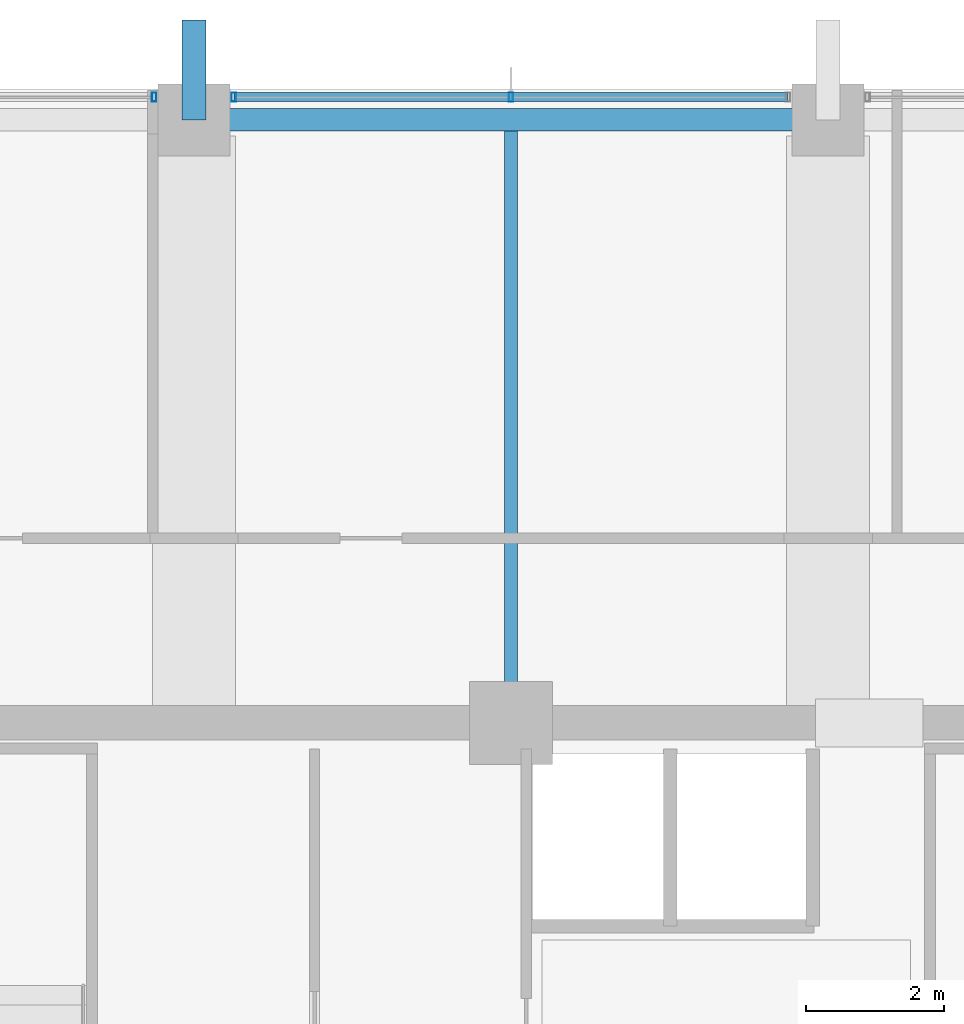
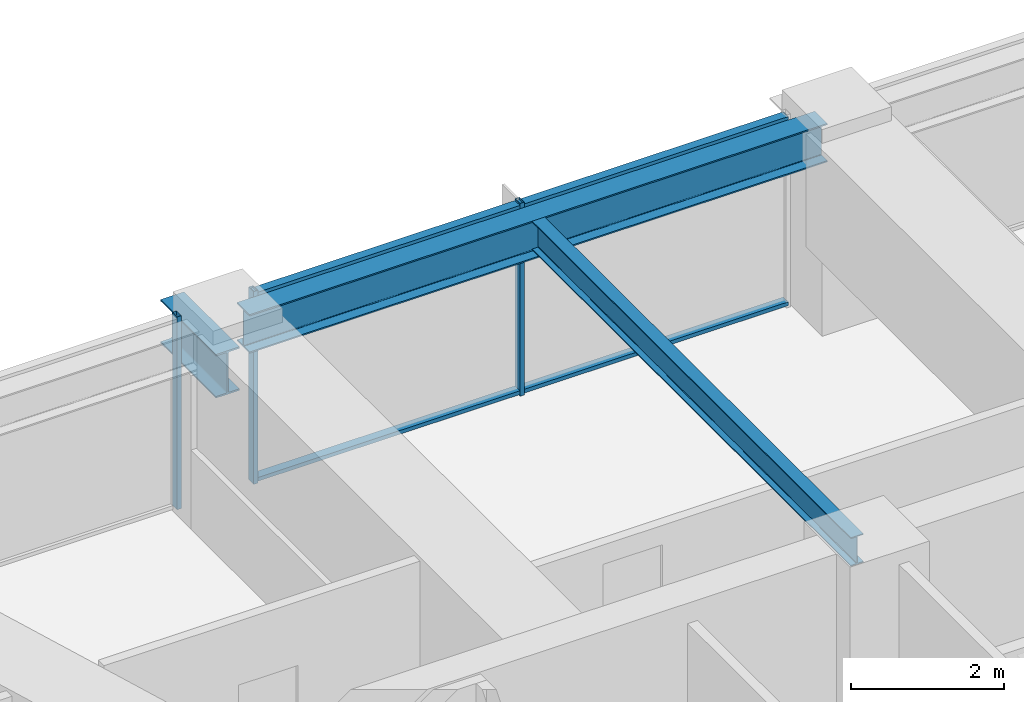
# One storey, part 22 of 36: 5 members, 3 beams, 2 elements without a shape of their own.
"""IFC4 building model written with IfcOpenShell, lengths in metres."""

import ifcopenshell
import ifcopenshell.guid

model = None  # the IFC model being written
_history = None  # IfcOwnerHistory: only IFC2X3 demands one
_inside = {}  # id of a spatial element -> (the spatial element, [elements in it])
_under = {}  # id of a project, library or spatial element -> (it, [spatial elements below it])
_declared = {}  # id of a project -> (the project, [libraries it declares])
_typed = {}  # id of a type object -> (the type object, [elements of that type])
_made_of = {}  # id of a material, layer set ... -> (it, [elements and type objects made of it])


def new_model(schema):
    """Start an empty IFC model of exactly this schema.

    Asked for "IFC4X3", IfcOpenShell would pick the latest addendum, in which some entities
    have other attributes; the version numbers below select the first issue.
    IFC2X3 requires an IfcOwnerHistory on every rooted entity: one is made here for all.
    """
    global model, _history
    if schema == "IFC4X3":
        model = ifcopenshell.file(schema_version=(4, 3, 0, 0))
    else:
        model = ifcopenshell.file(schema=schema)
    _inside.clear()
    _under.clear()
    _declared.clear()
    _typed.clear()
    _made_of.clear()
    _history = None
    if model.schema == "IFC2X3":
        org = make("IfcOrganization", Name="unknown")
        user = make(
            "IfcPersonAndOrganization",
            ThePerson=make("IfcPerson", FamilyName="unknown"),
            TheOrganization=org,
        )
        app = make(
            "IfcApplication",
            ApplicationDeveloper=org,
            Version="unknown",
            ApplicationFullName="unknown",
            ApplicationIdentifier="unknown",
        )
        _history = make(
            "IfcOwnerHistory",
            OwningUser=user,
            OwningApplication=app,
            ChangeAction="ADDED",
            CreationDate=0,
        )
    return model


def make(cls, **values):
    """One entity of the class cls with the attributes given. An attribute that is None is left unset."""
    return model.create_entity(
        cls, **{name: value for name, value in values.items() if value is not None}
    )


def rooted(cls, **values):
    """An entity with a GlobalId (a new one), such as an element, a storey or a relation."""
    return make(cls, GlobalId=ifcopenshell.guid.new(), OwnerHistory=_history, **values)


def si_unit(unit_type, name, prefix=None):
    """IfcSIUnit, for example si_unit("LENGTHUNIT", "METRE", prefix="MILLI")."""
    return make("IfcSIUnit", UnitType=unit_type, Prefix=prefix, Name=name)


def assignment(units):
    """IfcUnitAssignment: the units of a project."""
    return None if units is None else make("IfcUnitAssignment", Units=units)


def point(xyz):
    """IfcCartesianPoint."""
    return None if xyz is None else make("IfcCartesianPoint", Coordinates=xyz)


def direction(xyz):
    """IfcDirection."""
    return None if xyz is None else make("IfcDirection", DirectionRatios=xyz)


def frame(location, z_axis=None, x_axis=None):
    """IfcAxis2Placement3D, a coordinate frame: its origin and axes. An axis left out is left unset."""
    return make(
        "IfcAxis2Placement3D",
        Location=point(location),
        Axis=direction(z_axis),
        RefDirection=direction(x_axis),
    )


def frame_2d(location, x_axis=None):
    """IfcAxis2Placement2D, a coordinate frame in the plane: its origin and x axis."""
    return make(
        "IfcAxis2Placement2D", Location=point(location), RefDirection=direction(x_axis)
    )


def origin():
    """The frame at (0, 0, 0) with its axes left unset."""
    return frame((0.0, 0.0, 0.0))


def origin_2d():
    """The frame at (0, 0) in the plane with its x axis left unset."""
    return frame_2d((0.0, 0.0))


def place(relative_to, where):
    """IfcLocalPlacement: puts the frame where relative to a parent placement (None: the world)."""
    return make(
        "IfcLocalPlacement", PlacementRelTo=relative_to, RelativePlacement=where
    )


def context(
    kind, dimensions, precision=None, world=None, true_north=None, identifier=None
):
    """IfcGeometricRepresentationContext, for example the 3D "Model" context."""
    return make(
        "IfcGeometricRepresentationContext",
        ContextIdentifier=identifier,
        ContextType=kind,
        CoordinateSpaceDimension=dimensions,
        Precision=precision,
        WorldCoordinateSystem=world,
        TrueNorth=true_north,
    )


def subcontext(parent, identifier, kind, view, scale=None):
    """IfcGeometricRepresentationSubContext, for example "Body" below "Model"."""
    return make(
        "IfcGeometricRepresentationSubContext",
        ContextIdentifier=identifier,
        ContextType=kind,
        ParentContext=parent,
        TargetScale=scale,
        TargetView=view,
    )


def project(units=None, contexts=None):
    """IfcProject with its units and contexts."""
    return rooted(
        "IfcProject",
        Name="project",
        RepresentationContexts=contexts,
        UnitsInContext=assignment(units),
    )


def spatial(cls, under=None, at=None, **own):
    """A site, building, storey or space (cls), placed at a placement, below another one or the project."""
    s = rooted(cls, ObjectPlacement=at, **own)
    if under is not None:
        _under.setdefault(under.id(), (under, []))[1].append(s)
    return s


def profile(cls, at=None, kind="AREA", **sizes):
    """A parametric profile (cls). Its sizes go by their IFC names, for example OverallWidth=200.0."""
    return make(cls, ProfileType=kind, Position=at, **sizes)


def hollow_rectangle(**sizes):
    """IfcRectangleHollowProfileDef."""
    return profile("IfcRectangleHollowProfileDef", **sizes)


def i_section(**sizes):
    """IfcIShapeProfileDef."""
    return profile("IfcIShapeProfileDef", **sizes)


def extrude(swept, where, along, depth):
    """IfcExtrudedAreaSolid: the profile swept, set in the frame where, extruded along a direction by depth."""
    return make(
        "IfcExtrudedAreaSolid",
        SweptArea=swept,
        Position=where,
        ExtrudedDirection=direction(along),
        Depth=depth,
    )


def shape(context_of_items, identifier, shape_type, items):
    """IfcShapeRepresentation: the items that make up one representation, for example the "Body"."""
    return make(
        "IfcShapeRepresentation",
        ContextOfItems=context_of_items,
        RepresentationIdentifier=identifier,
        RepresentationType=shape_type,
        Items=items,
    )


def material(Name=None, Category=None):
    """IfcMaterial."""
    return make("IfcMaterial", Name=Name, Category=Category)


def material_profile(
    of_material, cross_section, Name=None, Category=None, Priority=None
):
    """IfcMaterialProfile: a cross section and its material."""
    return make(
        "IfcMaterialProfile",
        Name=Name,
        Material=of_material,
        Profile=cross_section,
        Priority=Priority,
        Category=Category,
    )


def profile_set(profiles, Name=None, composite=None):
    """IfcMaterialProfileSet."""
    return make(
        "IfcMaterialProfileSet",
        Name=Name,
        MaterialProfiles=profiles,
        CompositeProfile=composite,
    )


def made_of(thing, what):
    """Note that an element or type object is made of a material, layer set ...; save() writes the relation."""
    if what is not None:
        _made_of.setdefault(what.id(), (what, []))[1].append(thing)
    return thing


def type_object(cls, material=None, **own):
    """A type object (cls), such as IfcWallType, which elements share."""
    return made_of(rooted(cls, **own), material)


def element(
    cls,
    number,
    at=None,
    inside=None,
    cuts=None,
    type_object=None,
    material=None,
    context=None,
    identifier="Body",
    shape_type=None,
    held_by="IfcProductDefinitionShape",
    body=None,
    shapes=None,
    **own,
):
    """One element of the class cls, such as IfcWall. Its Tag is "e" and its number.

    at: its placement. inside: the storey or other place that contains it. cuts: it is an
    opening in that element (IfcRelVoidsElement). A single representation is given by context,
    identifier, shape_type and body (its items); several are given by shapes. held_by: the class
    of the entity that holds the representations. save() writes the other relations.
    """
    e = rooted(cls, Tag="e%d" % number, ObjectPlacement=at, **own)
    if body is not None:
        shapes = [shape(context, identifier, shape_type, body)]
    if shapes is not None:
        e.Representation = make(held_by, Representations=shapes)
    if inside is not None:
        _inside.setdefault(inside.id(), (inside, []))[1].append(e)
    if cuts is not None:
        rooted(
            "IfcRelVoidsElement", RelatingBuildingElement=cuts, RelatedOpeningElement=e
        )
    if type_object is not None:
        _typed.setdefault(type_object.id(), (type_object, []))[1].append(e)
    return made_of(e, material)


def aggregate(whole, parts):
    """IfcRelAggregates: a whole, such as a stair, and the parts it consists of."""
    return rooted("IfcRelAggregates", RelatingObject=whole, RelatedObjects=parts)


def save(model, path):
    """Write the relations noted so far, then the file.

    IfcRelAggregates (storeys below a building ...), IfcRelContainedInSpatialStructure (elements
    in a storey), IfcRelDefinesByType, IfcRelAssociatesMaterial and IfcRelDeclares: one each for
    every whole, place, type object, material and project.
    """
    for whole, parts in _under.values():
        aggregate(whole, parts)
    for where, things in _inside.values():
        rooted(
            "IfcRelContainedInSpatialStructure",
            RelatedElements=things,
            RelatingStructure=where,
        )
    for kind, things in _typed.values():
        rooted("IfcRelDefinesByType", RelatedObjects=things, RelatingType=kind)
    for what, things in _made_of.values():
        rooted("IfcRelAssociatesMaterial", RelatedObjects=things, RelatingMaterial=what)
    for by, libraries in _declared.values():
        rooted("IfcRelDeclares", RelatingContext=by, RelatedDefinitions=libraries)
    model.write(path)


model = new_model("IFC4")

# Units and contexts
model_context = context("Model", 3, precision=1e-05, world=origin(), true_north=direction((0.0, 1.0)))
body_context = subcontext(model_context, "Body", "Model", "MODEL_VIEW")
ifc_project = project(units=[si_unit("LENGTHUNIT", "METRE"), si_unit("AREAUNIT", "SQUARE_METRE"), si_unit("VOLUMEUNIT", "CUBIC_METRE"), si_unit("PLANEANGLEUNIT", "RADIAN"), si_unit("MASSUNIT", "GRAM", prefix="KILO")], contexts=[model_context])

# Site, building, storey
site_placement = place(None, origin())
site = spatial("IfcSite", under=ifc_project, at=site_placement, CompositionType="ELEMENT")
building_placement = place(site_placement, origin())
building = spatial("IfcBuilding", under=site, at=building_placement, Name="Kolvaren Belvedere", CompositionType="ELEMENT")
storey_placement = place(building_placement, frame((0.0, 0.0, 108.5)))
storey = spatial("IfcBuildingStorey", under=building, at=storey_placement, Name="L31", CompositionType="ELEMENT", Elevation=108.5)

# Beams
ifc_material_1 = material(Name="Structural steel ASTM A992 Grade 50", Category="steel")
ifc_material_profile_1 = material_profile(ifc_material_1, i_section(OverallWidth=0.35498046875, OverallDepth=0.696044921875, WebThickness=0.015380859375, FlangeThickness=0.02490234375, FilletRadius=0.02197265625, at=origin_2d()), Name="W27X146")
ifc_profile_set_1 = profile_set([ifc_material_profile_1], Name="Structural steel ASTM A992 Grade 50")
beam_type_1 = type_object("IfcBeamType", Name="BM-CANT-BAL", PredefinedType="BEAM", material=ifc_profile_set_1)
beam_1_placement = place(storey_placement, frame((-4.60009765625, 18.64990234375, 2.14208984375), z_axis=(0.0, 1.0, 0.0), x_axis=(-1.0, 0.0, 0.0)))
element("IfcBeam", 1, at=beam_1_placement, inside=storey, type_object=beam_type_1, Name="L31 North Picture-Frame Column Corbel M", PredefinedType="BEAM", context=body_context, shape_type="SweptSolid", body=[
    extrude(i_section(OverallWidth=0.35498046875, OverallDepth=0.696044921875, WebThickness=0.015380859375, FlangeThickness=0.02490234375, FilletRadius=0.02197265625, at=origin_2d()), origin(), (0.0, 0.0, 1.0), 1.4501953125),
])
ifc_material_2 = material(Name="Structural steel ASTM A992 Grade 50", Category="steel")
ifc_material_profile_2 = material_profile(ifc_material_2, i_section(OverallWidth=0.19091796875, OverallDepth=0.4599609375, WebThickness=0.010009765625, FlangeThickness=0.01611328125, FilletRadius=0.014892578125, at=origin_2d()), Name="W18X55")
ifc_profile_set_2 = profile_set([ifc_material_profile_2], Name="Structural steel ASTM A992 Grade 50")
beam_type_2 = type_object("IfcBeamType", Name="BM-JOIST-W18X55", PredefinedType="BEAM", material=ifc_profile_set_2)
beam_2_placement = place(storey_placement, frame((0.0, 10.14990234375, 2.85009765625), z_axis=(0.0, 1.0, 0.0), x_axis=(-1.0, 0.0, 0.0)))
element("IfcBeam", 2, at=beam_2_placement, inside=storey, type_object=beam_type_2, Name="L31 North Centre Floor Beam", PredefinedType="BEAM", context=body_context, shape_type="SweptSolid", body=[
    extrude(i_section(OverallWidth=0.19091796875, OverallDepth=0.4599609375, WebThickness=0.010009765625, FlangeThickness=0.01611328125, FilletRadius=0.014892578125, at=origin_2d()), origin(), (0.0, 0.0, 1.0), 8.337646484375),
])
ifc_material_3 = material(Name="Structural steel ASTM A992 Grade 50", Category="steel")
ifc_material_profile_3 = material_profile(ifc_material_3, i_section(OverallWidth=0.324951171875, OverallDepth=0.615966796875, WebThickness=0.013916015625, FlangeThickness=0.021484375, FilletRadius=0.02001953125, at=origin_2d()), Name="W24X117")
ifc_profile_set_3 = profile_set([ifc_material_profile_3], Name="Structural steel ASTM A992 Grade 50")
beam_type_3 = type_object("IfcBeamType", Name="BM-SPAN-W24X117", PredefinedType="SPANDREL", material=ifc_profile_set_3)
beam_3_placement = place(storey_placement, frame((4.36376953125, 18.64990234375, 2.77197265625), z_axis=(-1.0, 0.0, 0.0), x_axis=(0.0, -1.0, 0.0)))
element("IfcBeam", 3, at=beam_3_placement, inside=storey, type_object=beam_type_3, Name="L31 Perimeter Spandrel N3-N2", PredefinedType="SPANDREL", context=body_context, shape_type="SweptSolid", body=[
    extrude(i_section(OverallWidth=0.324951171875, OverallDepth=0.615966796875, WebThickness=0.013916015625, FlangeThickness=0.021484375, FilletRadius=0.02001953125, at=origin_2d()), origin(), (0.0, 0.0, 1.0), 8.7275390625),
])

# Curtain wall, member
ifc_material_4 = material(Name="Anodised pale-metal aluminium AA 6063-T6", Category="aluminium")
curtain_wall_type = type_object("IfcCurtainWallType", Name="CW-Z3-WAIST", PredefinedType="NOTDEFINED", material=ifc_material_4)
curtain_wall_1_placement = place(storey_placement, origin())
curtain_wall_1 = element("IfcCurtainWall", 4, at=curtain_wall_1_placement, inside=storey, type_object=curtain_wall_type, Name="L31 Unitised Curtain Wall FCW-L31-N-B1", PredefinedType="NOTDEFINED")
ifc_material_5 = material(Name="Anodised pale-metal aluminium AA 6063-T6", Category="aluminium")
ifc_material_profile_4 = material_profile(ifc_material_5, hollow_rectangle(XDim=0.06494140625, YDim=0.1298828125, WallThickness=0.00390625, at=origin_2d()), Name="ALU-MUL-130X65")
ifc_profile_set_4 = profile_set([ifc_material_profile_4], Name="Anodised pale-metal aluminium AA 6063-T6")
member_type_1 = type_object("IfcMemberType", Name="CW-MUL-130", PredefinedType="MULLION", material=ifc_profile_set_4)
member_1_placement = place(storey_placement, frame((-5.177490234375, 18.97998046875, 0.0), z_axis=(0.0, 0.0, 1.0), x_axis=(1.0, 0.0, 0.0)))
member_1 = element("IfcMember", 5, at=member_1_placement, type_object=member_type_1, Name="FCW-L31-N-B1 Unitised Mullion 3", PredefinedType="MULLION", context=body_context, shape_type="SweptSolid", body=[
    extrude(hollow_rectangle(XDim=0.06494140625, YDim=0.1298828125, WallThickness=0.00390625, at=origin_2d()), origin(), (0.0, 0.0, 1.0), 3.080078125),
])
aggregate(curtain_wall_1, [member_1])

# Curtain wall, members
curtain_wall_2_placement = place(storey_placement, origin())
curtain_wall_2 = element("IfcCurtainWall", 6, at=curtain_wall_2_placement, inside=storey, type_object=curtain_wall_type, Name="L31 Unitised Curtain Wall FCW-L31-N-B2", PredefinedType="NOTDEFINED")
member_2_placement = place(storey_placement, frame((-4.0224609375, 18.97998046875, 0.0), z_axis=(0.0, 0.0, 1.0), x_axis=(1.0, 0.0, 0.0)))
member_2 = element("IfcMember", 7, at=member_2_placement, type_object=member_type_1, Name="FCW-L31-N-B2 Unitised Mullion 1", PredefinedType="MULLION", context=body_context, shape_type="SweptSolid", body=[
    extrude(hollow_rectangle(XDim=0.06494140625, YDim=0.1298828125, WallThickness=0.00390625, at=origin_2d()), origin(), (0.0, 0.0, 1.0), 3.080078125),
])
member_3_placement = place(storey_placement, frame((0.0, 18.97998046875, 0.0), z_axis=(0.0, 0.0, 1.0), x_axis=(1.0, 0.0, 0.0)))
member_3 = element("IfcMember", 8, at=member_3_placement, type_object=member_type_1, Name="FCW-L31-N-B2 Unitised Mullion 2", PredefinedType="MULLION", context=body_context, shape_type="SweptSolid", body=[
    extrude(hollow_rectangle(XDim=0.06494140625, YDim=0.1298828125, WallThickness=0.00390625, at=origin_2d()), origin(), (0.0, 0.0, 1.0), 3.080078125),
])
ifc_material_6 = material(Name="Anodised pale-metal aluminium AA 6063-T6", Category="aluminium")
ifc_material_profile_5 = material_profile(ifc_material_6, hollow_rectangle(XDim=0.06005859375, YDim=0.1298828125, WallThickness=0.00390625, at=origin_2d()), Name="ALU-TRN-130X60")
ifc_profile_set_5 = profile_set([ifc_material_profile_5], Name="Anodised pale-metal aluminium AA 6063-T6")
member_type_2 = type_object("IfcMemberType", Name="CW-TRN-130", PredefinedType="USERDEFINED", material=ifc_profile_set_5)
member_4_placement = place(storey_placement, frame((-4.0224609375, 18.97998046875, 0.06005859375), z_axis=(1.0, 0.0, 0.0), x_axis=(0.0, 0.0, 1.0)))
member_4 = element("IfcMember", 9, at=member_4_placement, type_object=member_type_2, Name="FCW-L31-N-B2 Sill Transom", ObjectType="TRANSOM", PredefinedType="USERDEFINED", context=body_context, shape_type="SweptSolid", body=[
    extrude(hollow_rectangle(XDim=0.06005859375, YDim=0.1298828125, WallThickness=0.00390625, at=origin_2d()), origin(), (0.0, 0.0, 1.0), 8.044921875),
])
member_5_placement = place(storey_placement, frame((-4.0224609375, 18.97998046875, 3.02001953125), z_axis=(1.0, 0.0, 0.0), x_axis=(0.0, 0.0, 1.0)))
member_5 = element("IfcMember", 10, at=member_5_placement, type_object=member_type_2, Name="FCW-L31-N-B2 Head Transom", ObjectType="TRANSOM", PredefinedType="USERDEFINED", context=body_context, shape_type="SweptSolid", body=[
    extrude(hollow_rectangle(XDim=0.06005859375, YDim=0.1298828125, WallThickness=0.00390625, at=origin_2d()), origin(), (0.0, 0.0, 1.0), 8.044921875),
])
aggregate(curtain_wall_2, [member_2, member_3, member_4, member_5])

save(model, "model.ifc")
